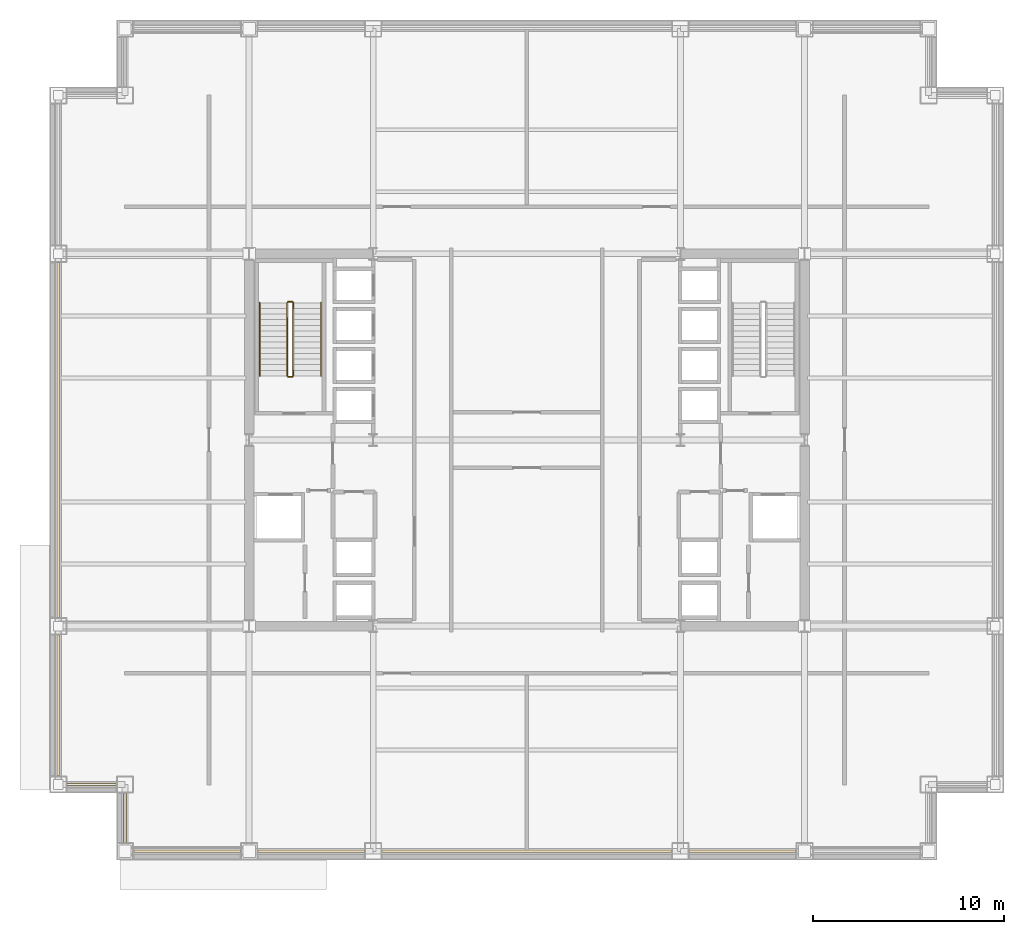
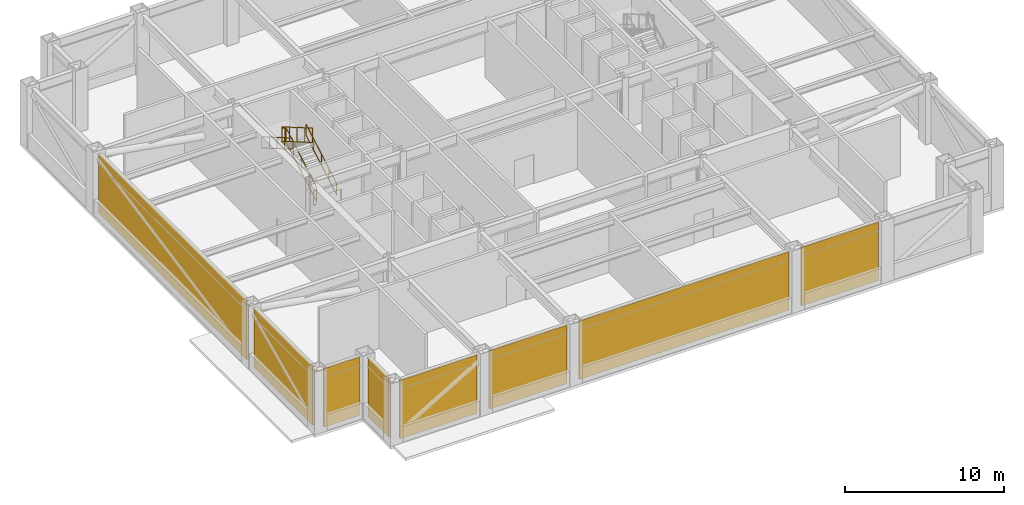
# One storey, part 6 of 8: 8 shading devices, 6 railings.
"""IFC4 building model written with IfcOpenShell, lengths in metres."""

from ifc_helpers import new_model, si_unit, direction, frame, origin, origin_2d, place, context, subcontext, project, spatial, rectangle, extrude, material, layer, layer_set, type_object, element, save


model = new_model("IFC4")

# Units and contexts
model_context = context("Model", 3, precision=1e-05, world=origin(), true_north=direction((0.0, 1.0)))
body_context = subcontext(model_context, "Body", "Model", "MODEL_VIEW")
ifc_project = project(units=[si_unit("LENGTHUNIT", "METRE"), si_unit("AREAUNIT", "SQUARE_METRE"), si_unit("VOLUMEUNIT", "CUBIC_METRE"), si_unit("PLANEANGLEUNIT", "RADIAN"), si_unit("MASSUNIT", "GRAM", prefix="KILO")], contexts=[model_context])

# Site, building, storey
site_placement = place(None, origin())
site = spatial("IfcSite", under=ifc_project, at=site_placement, CompositionType="ELEMENT")
building_placement = place(site_placement, origin())
building = spatial("IfcBuilding", under=site, at=building_placement, Name="Brelmoor Portico Tower", CompositionType="ELEMENT")
storey_placement = place(building_placement, frame((0.0, 0.0, 78.0)))
storey = spatial("IfcBuildingStorey", under=building, at=storey_placement, Name="L20", CompositionType="ELEMENT", Elevation=78.0)

# Railings
ifc_material_1 = material(Name="Painted Tubular Steel Q235B", Category="steel")
railing_type_1 = type_object("IfcRailingType", Name="RL-STAIR-GUARD", PredefinedType="GUARDRAIL", material=ifc_material_1)
railing_1_placement = place(storey_placement, frame((-12.239990234375, 3.35009765625, 0.17138671875)))
element("IfcRailing", 1, at=railing_1_placement, inside=storey, type_object=railing_type_1, Name="L20 ST-W stair guard 1", PredefinedType="GUARDRAIL", context=body_context, shape_type="SweptSolid", body=[
    extrude(rectangle(XDim=0.048095703125, YDim=0.048095703125, at=origin_2d()), frame((0.0, 0.0, 1.1259765625), z_axis=(0.0, 0.86461618451, 0.502432934314), x_axis=(-1.0, 0.0, 0.0)), (0.0, 0.0, 1.0), 4.435546875),
    extrude(rectangle(XDim=0.048095703125, YDim=0.048095703125, at=origin_2d()), frame((0.0, 0.0, 0.02392578125), z_axis=(0.0, 0.86461618451, 0.502432934314), x_axis=(-1.0, 0.0, 0.0)), (0.0, 0.0, 1.0), 4.435546875),
    extrude(rectangle(XDim=0.0419921875, YDim=0.0419921875, at=origin_2d()), origin(), (0.0, 0.0, 1.0), 1.101806640625),
    extrude(rectangle(XDim=0.0419921875, YDim=0.0419921875, at=origin_2d()), frame((0.0, 0.958740234375, 0.55712890625)), (0.0, 0.0, 1.0), 1.101806640625),
    extrude(rectangle(XDim=0.0419921875, YDim=0.0419921875, at=origin_2d()), frame((0.0, 1.91748046875, 1.1142578125)), (0.0, 0.0, 1.0), 1.101806640625),
    extrude(rectangle(XDim=0.0419921875, YDim=0.0419921875, at=origin_2d()), frame((0.0, 2.876220703125, 1.67138671875)), (0.0, 0.0, 1.0), 1.101806640625),
    extrude(rectangle(XDim=0.0419921875, YDim=0.0419921875, at=origin_2d()), frame((0.0, 3.8349609375, 2.228515625)), (0.0, 0.0, 1.0), 1.101806640625),
])
railing_2_placement = place(storey_placement, frame((-12.2900390625, 7.235107421875, 2.39990234375)))
element("IfcRailing", 2, at=railing_2_placement, inside=storey, type_object=railing_type_1, Name="L20 ST-W stair guard 2", PredefinedType="GUARDRAIL", context=body_context, shape_type="SweptSolid", body=[
    extrude(rectangle(XDim=0.048095703125, YDim=0.048095703125, at=origin_2d()), frame((0.0, 0.0, 1.1259765625), z_axis=(-1.0, 0.0, 0.0), x_axis=(0.0, -1.0, 0.0)), (0.0, 0.0, 1.0), 0.199951171875),
    extrude(rectangle(XDim=0.048095703125, YDim=0.048095703125, at=origin_2d()), frame((0.0, 0.0, 0.02392578125), z_axis=(-1.0, 0.0, 0.0), x_axis=(0.0, -1.0, 0.0)), (0.0, 0.0, 1.0), 0.199951171875),
    extrude(rectangle(XDim=0.0419921875, YDim=0.0419921875, at=origin_2d()), origin(), (0.0, 0.0, 1.0), 1.101806640625),
    extrude(rectangle(XDim=0.0419921875, YDim=0.0419921875, at=origin_2d()), frame((-0.199951171875, 0.0, 0.0)), (0.0, 0.0, 1.0), 1.101806640625),
])
railing_3_placement = place(storey_placement, frame((-12.5400390625, 7.18505859375, 2.571533203125)))
element("IfcRailing", 3, at=railing_3_placement, inside=storey, type_object=railing_type_1, Name="L20 ST-W stair guard 3", PredefinedType="GUARDRAIL", context=body_context, shape_type="SweptSolid", body=[
    extrude(rectangle(XDim=0.048095703125, YDim=0.048095703125, at=origin_2d()), frame((0.0, 0.0, 1.1259765625), z_axis=(0.0, -0.86461618451, 0.502432934314), x_axis=(1.0, 0.0, 0.0)), (0.0, 0.0, 1.0), 4.435546875),
    extrude(rectangle(XDim=0.048095703125, YDim=0.048095703125, at=origin_2d()), frame((0.0, 0.0, 0.02392578125), z_axis=(0.0, -0.86461618451, 0.502432934314), x_axis=(1.0, 0.0, 0.0)), (0.0, 0.0, 1.0), 4.435546875),
    extrude(rectangle(XDim=0.0419921875, YDim=0.0419921875, at=origin_2d()), origin(), (0.0, 0.0, 1.0), 1.101806640625),
    extrude(rectangle(XDim=0.0419921875, YDim=0.0419921875, at=origin_2d()), frame((0.0, -0.958740234375, 0.55712890625)), (0.0, 0.0, 1.0), 1.101806640625),
    extrude(rectangle(XDim=0.0419921875, YDim=0.0419921875, at=origin_2d()), frame((0.0, -1.91748046875, 1.1142578125)), (0.0, 0.0, 1.0), 1.101806640625),
    extrude(rectangle(XDim=0.0419921875, YDim=0.0419921875, at=origin_2d()), frame((0.0, -2.876220703125, 1.67138671875)), (0.0, 0.0, 1.0), 1.101806640625),
    extrude(rectangle(XDim=0.0419921875, YDim=0.0419921875, at=origin_2d()), frame((0.0, -3.8349609375, 2.228515625)), (0.0, 0.0, 1.0), 1.101806640625),
])
railing_4_placement = place(storey_placement, frame((-12.2900390625, 3.300048828125, 0.0)))
element("IfcRailing", 4, at=railing_4_placement, inside=storey, type_object=railing_type_1, Name="L20 ST-W stair guard 4", PredefinedType="GUARDRAIL", context=body_context, shape_type="SweptSolid", body=[
    extrude(rectangle(XDim=0.048095703125, YDim=0.048095703125, at=origin_2d()), frame((0.0, 0.0, 1.1259765625), z_axis=(-1.0, 0.0, 0.0), x_axis=(0.0, -1.0, 0.0)), (0.0, 0.0, 1.0), 0.199951171875),
    extrude(rectangle(XDim=0.048095703125, YDim=0.048095703125, at=origin_2d()), frame((0.0, 0.0, 0.02392578125), z_axis=(-1.0, 0.0, 0.0), x_axis=(0.0, -1.0, 0.0)), (0.0, 0.0, 1.0), 0.199951171875),
    extrude(rectangle(XDim=0.0419921875, YDim=0.0419921875, at=origin_2d()), origin(), (0.0, 0.0, 1.0), 1.101806640625),
    extrude(rectangle(XDim=0.0419921875, YDim=0.0419921875, at=origin_2d()), frame((-0.199951171875, 0.0, 0.0)), (0.0, 0.0, 1.0), 1.101806640625),
])
ifc_material_2 = material(Name="Brushed Stainless Steel 304", Category="steel")
railing_type_2 = type_object("IfcRailingType", Name="RL-STAIR-HANDRAIL", PredefinedType="HANDRAIL", material=ifc_material_2)
railing_5_placement = place(storey_placement, frame((-10.780029296875, 3.35009765625, 0.17138671875)))
element("IfcRailing", 5, at=railing_5_placement, inside=storey, type_object=railing_type_2, Name="L20 ST-W stair handrail 1", PredefinedType="HANDRAIL", context=body_context, shape_type="SweptSolid", body=[
    extrude(rectangle(XDim=0.048095703125, YDim=0.048095703125, at=origin_2d()), frame((0.0, 0.0, 0.8759765625), z_axis=(0.0, 0.86461618451, 0.502432934314), x_axis=(-1.0, 0.0, 0.0)), (0.0, 0.0, 1.0), 4.435546875),
    extrude(rectangle(XDim=0.048095703125, YDim=0.048095703125, at=origin_2d()), frame((0.0, 0.0, 0.02392578125), z_axis=(0.0, 0.86461618451, 0.502432934314), x_axis=(-1.0, 0.0, 0.0)), (0.0, 0.0, 1.0), 4.435546875),
    extrude(rectangle(XDim=0.0419921875, YDim=0.0419921875, at=origin_2d()), origin(), (0.0, 0.0, 1.0), 0.851806640625),
    extrude(rectangle(XDim=0.0419921875, YDim=0.0419921875, at=origin_2d()), frame((0.0, 0.958740234375, 0.55712890625)), (0.0, 0.0, 1.0), 0.851806640625),
    extrude(rectangle(XDim=0.0419921875, YDim=0.0419921875, at=origin_2d()), frame((0.0, 1.91748046875, 1.1142578125)), (0.0, 0.0, 1.0), 0.851806640625),
    extrude(rectangle(XDim=0.0419921875, YDim=0.0419921875, at=origin_2d()), frame((0.0, 2.876220703125, 1.67138671875)), (0.0, 0.0, 1.0), 0.851806640625),
    extrude(rectangle(XDim=0.0419921875, YDim=0.0419921875, at=origin_2d()), frame((0.0, 3.8349609375, 2.228515625)), (0.0, 0.0, 1.0), 0.851806640625),
])
railing_6_placement = place(storey_placement, frame((-14.0, 7.18505859375, 2.571533203125)))
element("IfcRailing", 6, at=railing_6_placement, inside=storey, type_object=railing_type_2, Name="L20 ST-W stair handrail 2", PredefinedType="HANDRAIL", context=body_context, shape_type="SweptSolid", body=[
    extrude(rectangle(XDim=0.048095703125, YDim=0.048095703125, at=origin_2d()), frame((0.0, 0.0, 0.8759765625), z_axis=(0.0, -0.86461618451, 0.502432934314), x_axis=(1.0, 0.0, 0.0)), (0.0, 0.0, 1.0), 4.435546875),
    extrude(rectangle(XDim=0.048095703125, YDim=0.048095703125, at=origin_2d()), frame((0.0, 0.0, 0.02392578125), z_axis=(0.0, -0.86461618451, 0.502432934314), x_axis=(1.0, 0.0, 0.0)), (0.0, 0.0, 1.0), 4.435546875),
    extrude(rectangle(XDim=0.0419921875, YDim=0.0419921875, at=origin_2d()), origin(), (0.0, 0.0, 1.0), 0.851806640625),
    extrude(rectangle(XDim=0.0419921875, YDim=0.0419921875, at=origin_2d()), frame((0.0, -0.958740234375, 0.55712890625)), (0.0, 0.0, 1.0), 0.851806640625),
    extrude(rectangle(XDim=0.0419921875, YDim=0.0419921875, at=origin_2d()), frame((0.0, -1.91748046875, 1.1142578125)), (0.0, 0.0, 1.0), 0.851806640625),
    extrude(rectangle(XDim=0.0419921875, YDim=0.0419921875, at=origin_2d()), frame((0.0, -2.876220703125, 1.67138671875)), (0.0, 0.0, 1.0), 0.851806640625),
    extrude(rectangle(XDim=0.0419921875, YDim=0.0419921875, at=origin_2d()), frame((0.0, -3.8349609375, 2.228515625)), (0.0, 0.0, 1.0), 0.851806640625),
])

# Shading devices
ifc_material_3 = material(Name="Extruded Aluminium Acoustic Weather Louvre", Category="aluminium")
ifc_layer = layer(ifc_material_3, 0.139892578125)
ifc_layer_set = layer_set([ifc_layer], Name="Extruded Aluminium Acoustic Weather Louvre")
shading_device_type = type_object("IfcShadingDeviceType", Name="SD-PLANT-LOUVRE", PredefinedType="USERDEFINED", material=ifc_layer_set)
for number, where, z_axis, x_axis, name in (
    (7, (-17.800048828125, -21.550048828125, 0.06005859375), (0.0, 0.0, 1.0), (1.0, 0.0, 0.0), "L20 Acoustic Plant Louvre S-1"),
    (8, (-11.300048828125, -21.550048828125, 0.06005859375), (0.0, 0.0, 1.0), (1.0, 0.0, 0.0), "L20 Acoustic Plant Louvre S-2"),
):
    element("IfcShadingDevice", number, at=place(storey_placement, frame(where, z_axis=z_axis, x_axis=x_axis)), inside=storey, type_object=shading_device_type, Name=name, ObjectType="LOUVRE", PredefinedType="USERDEFINED", context=body_context, shape_type="SweptSolid", body=[
        extrude(rectangle(XDim=5.580078125, YDim=0.139892578125, at=origin_2d()), origin(), (0.0, 0.0, 1.0), 4.47998046875),
    ])
shading_device_1_placement = place(storey_placement, frame((0.0, -21.550048828125, 0.06005859375), z_axis=(0.0, 0.0, 1.0), x_axis=(1.0, 0.0, 0.0)))
element("IfcShadingDevice", 9, at=shading_device_1_placement, inside=storey, type_object=shading_device_type, Name="L20 Acoustic Plant Louvre S-3", ObjectType="LOUVRE", PredefinedType="USERDEFINED", context=body_context, shape_type="SweptSolid", body=[
    extrude(rectangle(XDim=15.179931640625, YDim=0.139892578125, at=origin_2d()), origin(), (0.0, 0.0, 1.0), 4.47998046875),
])
shading_device_2_placement = place(storey_placement, frame((11.300048828125, -21.550048828125, 0.06005859375), z_axis=(0.0, 0.0, 1.0), x_axis=(1.0, 0.0, 0.0)))
element("IfcShadingDevice", 10, at=shading_device_2_placement, inside=storey, type_object=shading_device_type, Name="L20 Acoustic Plant Louvre S-4", ObjectType="LOUVRE", PredefinedType="USERDEFINED", context=body_context, shape_type="SweptSolid", body=[
    extrude(rectangle(XDim=5.580078125, YDim=0.139892578125, at=origin_2d()), origin(), (0.0, 0.0, 1.0), 4.47998046875),
])
shading_device_3_placement = place(storey_placement, frame((-24.550048828125, -13.89990234375, 0.06005859375), z_axis=(0.0, 0.0, 1.0), x_axis=(0.0, 1.0, 0.0)))
element("IfcShadingDevice", 11, at=shading_device_3_placement, inside=storey, type_object=shading_device_type, Name="L20 Acoustic Plant Louvre W-1", ObjectType="LOUVRE", PredefinedType="USERDEFINED", context=body_context, shape_type="SweptSolid", body=[
    extrude(rectangle(XDim=7.3798828125, YDim=0.139892578125, at=origin_2d()), origin(), (0.0, 0.0, 1.0), 4.47998046875),
])
shading_device_4_placement = place(storey_placement, frame((-24.550048828125, 0.0, 0.06005859375), z_axis=(0.0, 0.0, 1.0), x_axis=(0.0, 1.0, 0.0)))
element("IfcShadingDevice", 12, at=shading_device_4_placement, inside=storey, type_object=shading_device_type, Name="L20 Acoustic Plant Louvre W-2", ObjectType="LOUVRE", PredefinedType="USERDEFINED", context=body_context, shape_type="SweptSolid", body=[
    extrude(rectangle(XDim=18.580078125, YDim=0.139892578125, at=origin_2d()), origin(), (0.0, 0.0, 1.0), 4.47998046875),
])
for number, where, z_axis, x_axis, name in (
    (13, (-21.050048828125, -19.800048828125, 0.06005859375), (0.0, 0.0, 1.0), (0.0, 1.0, 0.0), "L20 Acoustic Plant Louvre SW1-1"),
    (14, (-22.800048828125, -18.050048828125, 0.06005859375), (0.0, 0.0, 1.0), (1.0, 0.0, 0.0), "L20 Acoustic Plant Louvre SW2-1"),
):
    element("IfcShadingDevice", number, at=place(storey_placement, frame(where, z_axis=z_axis, x_axis=x_axis)), inside=storey, type_object=shading_device_type, Name=name, ObjectType="LOUVRE", PredefinedType="USERDEFINED", context=body_context, shape_type="SweptSolid", body=[
        extrude(rectangle(XDim=2.580078125, YDim=0.139892578125, at=origin_2d()), origin(), (0.0, 0.0, 1.0), 4.47998046875),
    ])

save(model, "model.ifc")
